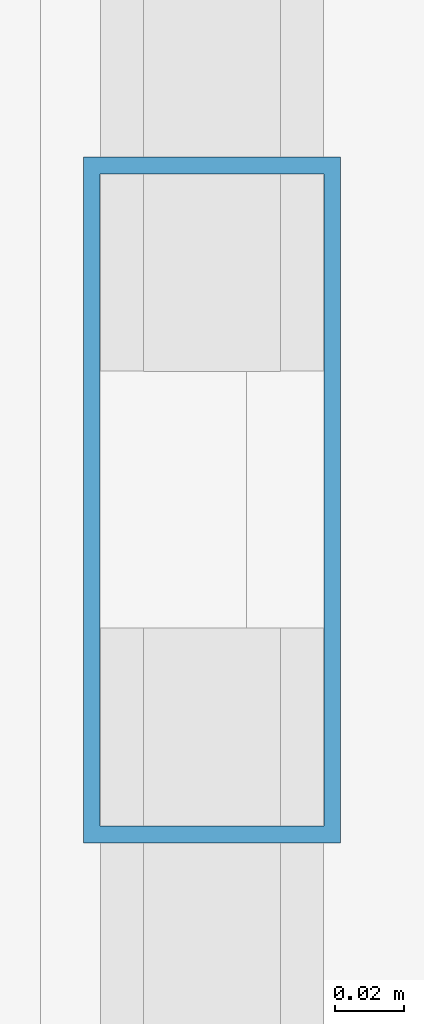
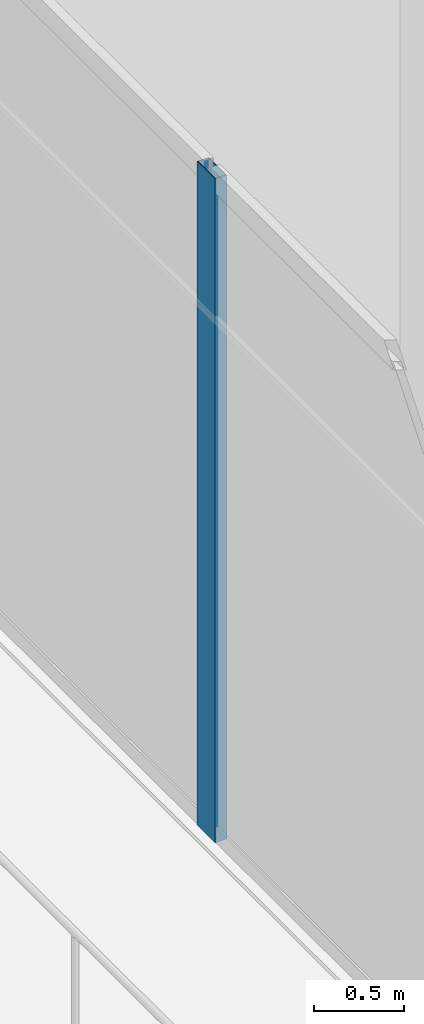
# One storey, part 8 of 33: 1 member, 1 element without a shape of its own.
"""IFC4 building model written with IfcOpenShell, lengths in metres."""

from ifc_helpers import new_model, si_unit, direction, frame, origin, origin_2d, place, context, subcontext, project, spatial, hollow_rectangle, extrude, source, transform, mapped, material, layer, layer_set, material_profile, profile_set, type_object, type_shapes, element, aggregate, save


model = new_model("IFC4")

# Units and contexts
model_context = context("Model", 3, precision=1e-05, world=origin(), true_north=direction((0.0, 1.0)))
body_context = subcontext(model_context, "Body", "Model", "MODEL_VIEW")
ifc_project = project(units=[si_unit("LENGTHUNIT", "METRE"), si_unit("AREAUNIT", "SQUARE_METRE"), si_unit("VOLUMEUNIT", "CUBIC_METRE"), si_unit("PLANEANGLEUNIT", "RADIAN"), si_unit("MASSUNIT", "GRAM", prefix="KILO")], contexts=[model_context])

# Site, building, storey
site_placement = place(None, origin())
site = spatial("IfcSite", under=ifc_project, at=site_placement, CompositionType="ELEMENT")
building_placement = place(site_placement, origin())
building = spatial("IfcBuilding", under=site, at=building_placement, Name="Haelvirn Gate Laboratories", CompositionType="ELEMENT")
storey_placement = place(building_placement, frame((0.0, 0.0, 100.300048828125)))
storey = spatial("IfcBuildingStorey", under=building, at=storey_placement, Name="L24", CompositionType="ELEMENT", Elevation=100.300048828125)

# Curtain wall, member
ifc_material_1 = material(Name="Anodised bronze unitised aluminium & triple low-E glass", Category="aluminium")
ifc_layer = layer(ifc_material_1, 0.179931640625, Name="CW-SYS-3")
ifc_layer_set = layer_set([ifc_layer], Name="Anodised bronze unitised aluminium & triple low-E glass")
curtain_wall_type = type_object("IfcCurtainWallType", Name="CW-SYS-3", PredefinedType="NOTDEFINED", material=ifc_layer_set)
curtain_wall_placement = place(storey_placement, origin())
curtain_wall = element("IfcCurtainWall", 1, at=curtain_wall_placement, inside=storey, type_object=curtain_wall_type, Name="L24 Unitised Curtain Wall CW-L24-P0-E17", PredefinedType="NOTDEFINED")
ifc_material_2 = material(Name="Extruded aluminium 6063-T6 (anodised bronze)", Category="aluminium")
ifc_material_profile = material_profile(ifc_material_2, hollow_rectangle(XDim=0.074951171875, YDim=0.199951171875, WallThickness=0.0048828125, at=origin_2d()), Name="CWM-200x75x5")
ifc_profile_set = profile_set([ifc_material_profile], Name="Extruded aluminium 6063-T6 (anodised bronze)")
member_type = type_object("IfcMemberType", Name="CWM-T200", PredefinedType="MULLION", material=ifc_profile_set)
shared_shape = source(origin(), body_context, "Body", "SweptSolid", [
    extrude(hollow_rectangle(XDim=0.074951171875, YDim=0.199951171875, WallThickness=0.0048828125, at=origin_2d()), origin(), (0.0, 0.0, 1.0), 4.489990234375),
])
type_shapes(member_type, [shared_shape])
member_placement = place(storey_placement, frame((2.10009765625, 30.966552734375, 0.0), z_axis=(0.0, 0.0, 1.0), x_axis=(1.0, 0.0, 0.0)))
member = element("IfcMember", 2, at=member_placement, type_object=member_type, Name="CW3 mullion 2", PredefinedType="MULLION", context=body_context, shape_type="MappedRepresentation", body=[
    mapped(shared_shape, transform((0.0, 0.0, 0.0), scale=1.0)),
])
aggregate(curtain_wall, [member])

save(model, "model.ifc")
